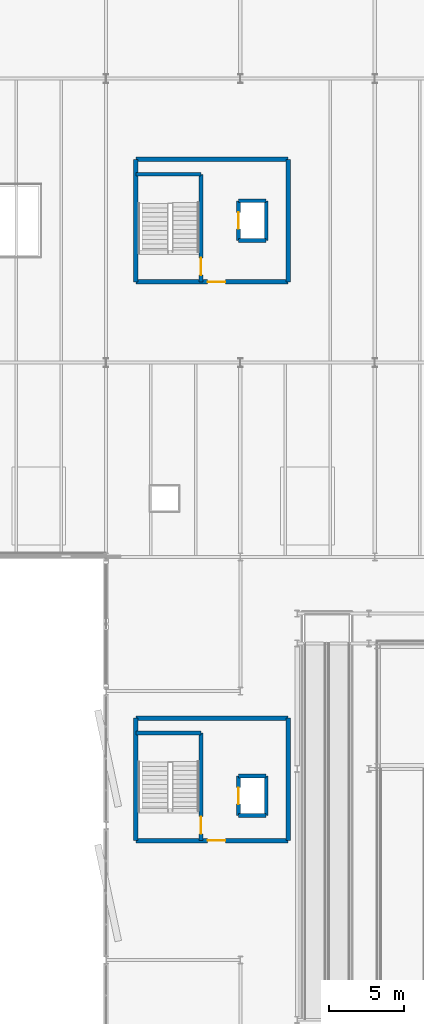
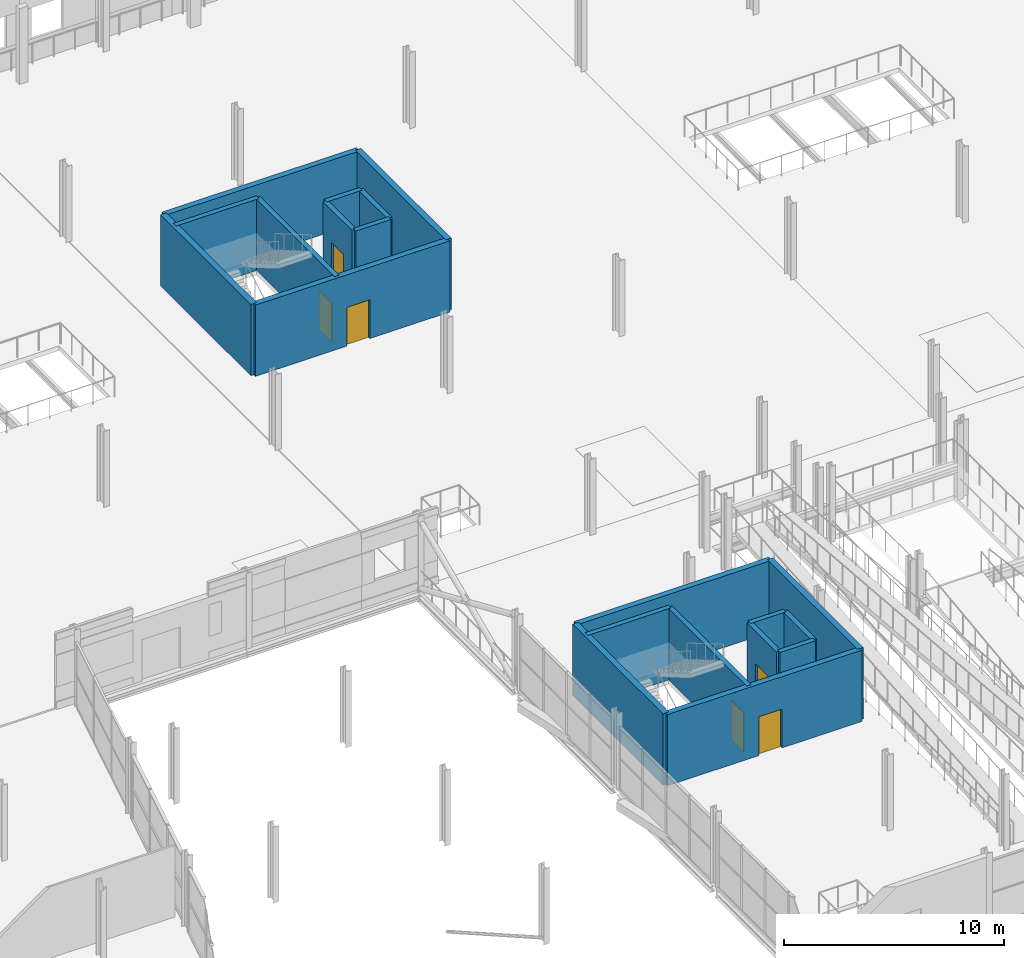
# One storey, part 122 of 140: 20 walls, 6 doors, 6 openings.
"""IFC4 building model written with IfcOpenShell, lengths in metres."""

from ifc_helpers import new_model, si_unit, direction, frame, frame_2d, origin, place, context, subcontext, project, spatial, rectangle, extrude, material, layer, layer_set, type_object, element, fill, save


model = new_model("IFC4")

# Units and contexts
model_context = context("Model", 3, precision=1e-05, world=origin(), true_north=direction((0.0, 1.0)))
body_context = subcontext(model_context, "Body", "Model", "MODEL_VIEW")
ifc_project = project(units=[si_unit("LENGTHUNIT", "METRE"), si_unit("AREAUNIT", "SQUARE_METRE"), si_unit("VOLUMEUNIT", "CUBIC_METRE"), si_unit("PLANEANGLEUNIT", "RADIAN"), si_unit("MASSUNIT", "GRAM", prefix="KILO")], contexts=[model_context])

# Site, building, storey
site_placement = place(None, origin())
site = spatial("IfcSite", under=ifc_project, at=site_placement, CompositionType="ELEMENT")
building_placement = place(site_placement, origin())
building = spatial("IfcBuilding", under=site, at=building_placement, Name="Deido Ridge Mobility Hub", CompositionType="ELEMENT")
storey_placement = place(building_placement, origin())
storey = spatial("IfcBuildingStorey", under=building, at=storey_placement, Name="L00", CompositionType="ELEMENT", Elevation=0.0)

# Wall, opening, door
ifc_material_1 = material(Name="Concrete C40/50", Category="concrete")
ifc_layer_1 = layer(ifc_material_1, 0.25, Name="Concrete C40/50")
ifc_layer_set_1 = layer_set([ifc_layer_1], Name="Concrete C40/50")
wall_type_1 = type_object("IfcWallType", Name="WL-SHR-RC-250", PredefinedType="SHEAR", material=ifc_layer_set_1)
wall_1_placement = place(storey_placement, frame((78.360107421875, 62.0, 0.0), z_axis=(0.0, 0.0, 1.0), x_axis=(0.0, 1.0, 0.0)))
wall_1 = element("IfcWall", 1, at=wall_1_placement, inside=storey, type_object=wall_type_1, Name="C4 stair shaft east wall", PredefinedType="SHEAR", context=body_context, shape_type="SweptSolid", body=[
    extrude(rectangle(XDim=7.199951171875, YDim=0.25, at=frame_2d((3.60009765625, 0.0))), origin(), (0.0, 0.0, 1.0), 3.949951171875),
])
opening_1_placement = place(wall_1_placement, frame((0.449951171875, 0.0, 0.0)))
opening_1 = element("IfcOpeningElement", 2, at=opening_1_placement, cuts=wall_1, Name="Opening FD-C4-L00", PredefinedType="OPENING", context=body_context, shape_type="SweptSolid", body=[
    extrude(rectangle(XDim=1.14990234375, YDim=2.14990234375, at=frame_2d((0.574951171875, 1.074951171875))), frame((0.0, 0.135009765625, 0.0), z_axis=(0.0, -1.0, 0.0), x_axis=(1.0, 0.0, 0.0)), (0.0, 0.0, 1.0), 0.27001953125),
])
ifc_material_2 = material(Name="Galvanised steel work", Category="steel")
door_type_1 = type_object("IfcDoorType", Name="DR-FD60-1150X2150", OperationType="NOTDEFINED", PredefinedType="DOOR", material=ifc_material_2)
door_1_placement = place(opening_1_placement, origin())
door_1 = element("IfcDoor", 3, at=door_1_placement, inside=storey, type_object=door_type_1, Name="DR-I0082 C4 protected stair door (L00)", OperationType="SINGLE_SWING_LEFT", OverallHeight=2.14990234375, OverallWidth=1.14990234375, PredefinedType="DOOR", context=body_context, shape_type="SweptSolid", body=[
    extrude(rectangle(XDim=1.14990234375, YDim=2.14990234375, at=frame_2d((0.574951171875, 1.074951171875))), frame((0.0, 0.02490234375, 0.0), z_axis=(0.0, -1.0, 0.0), x_axis=(1.0, 0.0, 0.0)), (0.0, 0.0, 1.0), 0.050048828125),
])
fill(opening_1, door_1)

# Walls
wall_2_placement = place(storey_placement, frame((74.0, 69.199951171875, 0.0), z_axis=(0.0, 0.0, 1.0), x_axis=(1.0, 0.0, 0.0)))
element("IfcWall", 4, at=wall_2_placement, inside=storey, type_object=wall_type_1, Name="C4 stair shaft north wall", PredefinedType="SHEAR", context=body_context, shape_type="SweptSolid", body=[
    extrude(rectangle(XDim=4.360107421875, YDim=0.25, at=frame_2d((2.18017578125, 0.0))), origin(), (0.0, 0.0, 1.0), 3.949951171875),
])
for number, where, z_axis, x_axis, name in (
    (5, (80.875, 63.675048828125, 0.0), (0.0, 0.0, 1.0), (1.0, 0.0, 0.0), "Lift PL2 south shaft wall"),
    (6, (80.875, 66.324951171875, 0.0), (0.0, 0.0, 1.0), (1.0, 0.0, 0.0), "Lift PL2 north shaft wall"),
):
    element("IfcWall", number, at=place(storey_placement, frame(where, z_axis=z_axis, x_axis=x_axis)), inside=storey, type_object=wall_type_1, Name=name, PredefinedType="SHEAR", context=body_context, shape_type="SweptSolid", body=[
        extrude(rectangle(XDim=1.85009765625, YDim=0.25, at=frame_2d((0.925048828125, 0.0))), origin(), (0.0, 0.0, 1.0), 3.949951171875),
    ])
wall_3_placement = place(storey_placement, frame((82.72509765625, 63.675048828125, 0.0), z_axis=(0.0, 0.0, 1.0), x_axis=(0.0, 1.0, 0.0)))
element("IfcWall", 7, at=wall_3_placement, inside=storey, type_object=wall_type_1, Name="Lift PL2 rear shaft wall", PredefinedType="SHEAR", context=body_context, shape_type="SweptSolid", body=[
    extrude(rectangle(XDim=2.64990234375, YDim=0.25, at=frame_2d((1.324951171875, 0.0))), origin(), (0.0, 0.0, 1.0), 3.949951171875),
])

# Wall, opening, door
wall_4_placement = place(storey_placement, frame((80.875, 63.675048828125, 0.0), z_axis=(0.0, 0.0, 1.0), x_axis=(0.0, 1.0, 0.0)))
wall_4 = element("IfcWall", 8, at=wall_4_placement, inside=storey, type_object=wall_type_1, Name="Lift PL2 landing wall", PredefinedType="SHEAR", context=body_context, shape_type="SweptSolid", body=[
    extrude(rectangle(XDim=2.64990234375, YDim=0.25, at=frame_2d((1.324951171875, 0.0))), origin(), (0.0, 0.0, 1.0), 3.949951171875),
])
opening_2_placement = place(wall_4_placement, frame((0.77490234375, 0.0, 0.0)))
opening_2 = element("IfcOpeningElement", 9, at=opening_2_placement, cuts=wall_4, Name="Opening LD-PL2", PredefinedType="OPENING", context=body_context, shape_type="SweptSolid", body=[
    extrude(rectangle(XDim=1.10009765625, YDim=2.14990234375, at=frame_2d((0.550048828125, 1.074951171875))), frame((0.0, 0.135009765625, 0.0), z_axis=(0.0, -1.0, 0.0), x_axis=(1.0, 0.0, 0.0)), (0.0, 0.0, 1.0), 0.27001953125),
])
ifc_material_3 = material(Name="Stainless steel 316", Category="steel")
door_type_2 = type_object("IfcDoorType", Name="DR-LND-PAS-1100X2150", OperationType="DOUBLE_DOOR_SLIDING", PredefinedType="USERDEFINED", material=ifc_material_3)
door_2_placement = place(opening_2_placement, origin())
door_2 = element("IfcDoor", 10, at=door_2_placement, inside=storey, type_object=door_type_2, Name="DR-I0084 Lift PL2 sliding landing door (L00)", ObjectType="LANDING DOOR", OperationType="DOUBLE_DOOR_SLIDING", OverallHeight=2.14990234375, OverallWidth=1.10009765625, PredefinedType="USERDEFINED", context=body_context, shape_type="SweptSolid", body=[
    extrude(rectangle(XDim=1.10009765625, YDim=2.14990234375, at=frame_2d((0.550048828125, 1.074951171875))), frame((0.0, 0.02490234375, 0.0), z_axis=(0.0, -1.0, 0.0), x_axis=(1.0, 0.0, 0.0)), (0.0, 0.0, 1.0), 0.050048828125),
])
fill(opening_2, door_2)

wall_5_placement = place(storey_placement, frame((78.360107421875, 99.39990234375, 0.0), z_axis=(0.0, 0.0, 1.0), x_axis=(0.0, 1.0, 0.0)))
wall_5 = element("IfcWall", 11, at=wall_5_placement, inside=storey, type_object=wall_type_1, Name="C5 stair shaft east wall", PredefinedType="SHEAR", context=body_context, shape_type="SweptSolid", body=[
    extrude(rectangle(XDim=7.2001953125, YDim=0.25, at=frame_2d((3.60009765625, 0.0))), origin(), (0.0, 0.0, 1.0), 3.949951171875),
])
opening_3_placement = place(wall_5_placement, frame((0.449951171875, 0.0, 0.0)))
opening_3 = element("IfcOpeningElement", 12, at=opening_3_placement, cuts=wall_5, Name="Opening FD-C5-L00", PredefinedType="OPENING", context=body_context, shape_type="SweptSolid", body=[
    extrude(rectangle(XDim=1.14990234375, YDim=2.14990234375, at=frame_2d((0.574951171875, 1.074951171875))), frame((0.0, 0.135009765625, 0.0), z_axis=(0.0, -1.0, 0.0), x_axis=(1.0, 0.0, 0.0)), (0.0, 0.0, 1.0), 0.27001953125),
])
door_3_placement = place(opening_3_placement, origin())
door_3 = element("IfcDoor", 13, at=door_3_placement, inside=storey, type_object=door_type_1, Name="DR-I0103 C5 protected stair door (L00)", OperationType="SINGLE_SWING_LEFT", OverallHeight=2.14990234375, OverallWidth=1.14990234375, PredefinedType="DOOR", context=body_context, shape_type="SweptSolid", body=[
    extrude(rectangle(XDim=1.14990234375, YDim=2.14990234375, at=frame_2d((0.574951171875, 1.074951171875))), frame((0.0, 0.02490234375, 0.0), z_axis=(0.0, -1.0, 0.0), x_axis=(1.0, 0.0, 0.0)), (0.0, 0.0, 1.0), 0.050048828125),
])
fill(opening_3, door_3)

# Walls
wall_6_placement = place(storey_placement, frame((74.0, 106.60009765625, 0.0), z_axis=(0.0, 0.0, 1.0), x_axis=(1.0, 0.0, 0.0)))
element("IfcWall", 14, at=wall_6_placement, inside=storey, type_object=wall_type_1, Name="C5 stair shaft north wall", PredefinedType="SHEAR", context=body_context, shape_type="SweptSolid", body=[
    extrude(rectangle(XDim=4.360107421875, YDim=0.25, at=frame_2d((2.18017578125, 0.0))), origin(), (0.0, 0.0, 1.0), 3.949951171875),
])
for number, where, z_axis, x_axis, name in (
    (15, (80.875, 102.175048828125, 0.0), (0.0, 0.0, 1.0), (1.0, 0.0, 0.0), "Lift PL3 south shaft wall"),
    (16, (80.875, 104.824951171875, 0.0), (0.0, 0.0, 1.0), (1.0, 0.0, 0.0), "Lift PL3 north shaft wall"),
):
    element("IfcWall", number, at=place(storey_placement, frame(where, z_axis=z_axis, x_axis=x_axis)), inside=storey, type_object=wall_type_1, Name=name, PredefinedType="SHEAR", context=body_context, shape_type="SweptSolid", body=[
        extrude(rectangle(XDim=1.85009765625, YDim=0.25, at=frame_2d((0.925048828125, 0.0))), origin(), (0.0, 0.0, 1.0), 3.949951171875),
    ])
wall_7_placement = place(storey_placement, frame((82.72509765625, 102.175048828125, 0.0), z_axis=(0.0, 0.0, 1.0), x_axis=(0.0, 1.0, 0.0)))
element("IfcWall", 17, at=wall_7_placement, inside=storey, type_object=wall_type_1, Name="Lift PL3 rear shaft wall", PredefinedType="SHEAR", context=body_context, shape_type="SweptSolid", body=[
    extrude(rectangle(XDim=2.64990234375, YDim=0.25, at=frame_2d((1.324951171875, 0.0))), origin(), (0.0, 0.0, 1.0), 3.949951171875),
])

# Wall, opening, door
wall_8_placement = place(storey_placement, frame((80.875, 102.175048828125, 0.0), z_axis=(0.0, 0.0, 1.0), x_axis=(0.0, 1.0, 0.0)))
wall_8 = element("IfcWall", 18, at=wall_8_placement, inside=storey, type_object=wall_type_1, Name="Lift PL3 landing wall", PredefinedType="SHEAR", context=body_context, shape_type="SweptSolid", body=[
    extrude(rectangle(XDim=2.64990234375, YDim=0.25, at=frame_2d((1.324951171875, 0.0))), origin(), (0.0, 0.0, 1.0), 3.949951171875),
])
opening_4_placement = place(wall_8_placement, frame((0.77490234375, 0.0, 0.0)))
opening_4 = element("IfcOpeningElement", 19, at=opening_4_placement, cuts=wall_8, Name="Opening LD-PL3", PredefinedType="OPENING", context=body_context, shape_type="SweptSolid", body=[
    extrude(rectangle(XDim=1.10009765625, YDim=2.14990234375, at=frame_2d((0.550048828125, 1.074951171875))), frame((0.0, 0.135009765625, 0.0), z_axis=(0.0, -1.0, 0.0), x_axis=(1.0, 0.0, 0.0)), (0.0, 0.0, 1.0), 0.27001953125),
])
door_4_placement = place(opening_4_placement, origin())
door_4 = element("IfcDoor", 20, at=door_4_placement, inside=storey, type_object=door_type_2, Name="DR-I0105 Lift PL3 sliding landing door (L00)", ObjectType="LANDING DOOR", OperationType="DOUBLE_DOOR_SLIDING", OverallHeight=2.14990234375, OverallWidth=1.10009765625, PredefinedType="USERDEFINED", context=body_context, shape_type="SweptSolid", body=[
    extrude(rectangle(XDim=1.10009765625, YDim=2.14990234375, at=frame_2d((0.550048828125, 1.074951171875))), frame((0.0, 0.02490234375, 0.0), z_axis=(0.0, -1.0, 0.0), x_axis=(1.0, 0.0, 0.0)), (0.0, 0.0, 1.0), 0.050048828125),
])
fill(opening_4, door_4)

ifc_layer_2 = layer(ifc_material_1, 0.300048828125, Name="Concrete C40/50")
ifc_layer_set_2 = layer_set([ifc_layer_2], Name="Concrete C40/50")
wall_type_2 = type_object("IfcWallType", Name="WL-SHR-RC-300", PredefinedType="SHEAR", material=ifc_layer_set_2)
wall_9_placement = place(storey_placement, frame((74.0, 62.0, 0.0), z_axis=(0.0, 0.0, 1.0), x_axis=(1.0, 0.0, 0.0)))
wall_9 = element("IfcWall", 21, at=wall_9_placement, inside=storey, type_object=wall_type_2, Name="C4 south shear wall", PredefinedType="SHEAR", context=body_context, shape_type="SweptSolid", body=[
    extrude(rectangle(XDim=10.199951171875, YDim=0.300048828125, at=frame_2d((5.10009765625, 0.0))), origin(), (0.0, 0.0, 1.0), 3.949951171875),
])
opening_5_placement = place(wall_9_placement, frame((4.800048828125, 0.0, 0.0)))
opening_5 = element("IfcOpeningElement", 22, at=opening_5_placement, cuts=wall_9, Name="Opening LD-C4-083", PredefinedType="OPENING", context=body_context, shape_type="SweptSolid", body=[
    extrude(rectangle(XDim=1.199951171875, YDim=2.14990234375, at=frame_2d((0.60009765625, 1.074951171875))), frame((0.0, 0.16015625, 0.0), z_axis=(0.0, -1.0, 0.0), x_axis=(1.0, 0.0, 0.0)), (0.0, 0.0, 1.0), 0.320068359375),
])
door_type_3 = type_object("IfcDoorType", Name="DR-FD60-1200X2150", OperationType="NOTDEFINED", PredefinedType="DOOR", material=ifc_material_2)
door_5_placement = place(opening_5_placement, origin())
door_5 = element("IfcDoor", 23, at=door_5_placement, inside=storey, type_object=door_type_3, Name="DR-I0083 C4 lift lobby door (L00)", OperationType="SINGLE_SWING_RIGHT", OverallHeight=2.14990234375, OverallWidth=1.199951171875, PredefinedType="DOOR", context=body_context, shape_type="SweptSolid", body=[
    extrude(rectangle(XDim=1.199951171875, YDim=2.14990234375, at=frame_2d((0.60009765625, 1.074951171875))), frame((0.0, 0.02490234375, 0.0), z_axis=(0.0, -1.0, 0.0), x_axis=(1.0, 0.0, 0.0)), (0.0, 0.0, 1.0), 0.050048828125),
])
fill(opening_5, door_5)

# Walls
wall_10_placement = place(storey_placement, frame((84.199951171875, 62.0, 0.0), z_axis=(0.0, 0.0, 1.0), x_axis=(0.0, 1.0, 0.0)))
element("IfcWall", 24, at=wall_10_placement, inside=storey, type_object=wall_type_2, Name="C4 east shear wall", PredefinedType="SHEAR", context=body_context, shape_type="SweptSolid", body=[
    extrude(rectangle(XDim=8.199951171875, YDim=0.300048828125, at=frame_2d((4.10009765625, 0.0))), origin(), (0.0, 0.0, 1.0), 3.949951171875),
])
wall_11_placement = place(storey_placement, frame((84.199951171875, 70.199951171875, 0.0), z_axis=(0.0, 0.0, 1.0), x_axis=(-1.0, 0.0, 0.0)))
element("IfcWall", 25, at=wall_11_placement, inside=storey, type_object=wall_type_2, Name="C4 north shear wall", PredefinedType="SHEAR", context=body_context, shape_type="SweptSolid", body=[
    extrude(rectangle(XDim=10.199951171875, YDim=0.300048828125, at=frame_2d((5.10009765625, 0.0))), origin(), (0.0, 0.0, 1.0), 3.949951171875),
])
wall_12_placement = place(storey_placement, frame((74.0, 70.199951171875, 0.0), z_axis=(0.0, 0.0, 1.0), x_axis=(0.0, -1.0, 0.0)))
element("IfcWall", 26, at=wall_12_placement, inside=storey, type_object=wall_type_2, Name="C4 west shear wall", PredefinedType="SHEAR", context=body_context, shape_type="SweptSolid", body=[
    extrude(rectangle(XDim=8.199951171875, YDim=0.300048828125, at=frame_2d((4.10009765625, 0.0))), origin(), (0.0, 0.0, 1.0), 3.949951171875),
])

# Wall, opening, door
wall_13_placement = place(storey_placement, frame((74.0, 99.39990234375, 0.0), z_axis=(0.0, 0.0, 1.0), x_axis=(1.0, 0.0, 0.0)))
wall_13 = element("IfcWall", 27, at=wall_13_placement, inside=storey, type_object=wall_type_2, Name="C5 south shear wall", PredefinedType="SHEAR", context=body_context, shape_type="SweptSolid", body=[
    extrude(rectangle(XDim=10.199951171875, YDim=0.300048828125, at=frame_2d((5.10009765625, 0.0))), origin(), (0.0, 0.0, 1.0), 3.949951171875),
])
opening_6_placement = place(wall_13_placement, frame((4.800048828125, 0.0, 0.0)))
opening_6 = element("IfcOpeningElement", 28, at=opening_6_placement, cuts=wall_13, Name="Opening LD-C5-104", PredefinedType="OPENING", context=body_context, shape_type="SweptSolid", body=[
    extrude(rectangle(XDim=1.199951171875, YDim=2.14990234375, at=frame_2d((0.60009765625, 1.074951171875))), frame((0.0, 0.16015625, 0.0), z_axis=(0.0, -1.0, 0.0), x_axis=(1.0, 0.0, 0.0)), (0.0, 0.0, 1.0), 0.320068359375),
])
door_6_placement = place(opening_6_placement, origin())
door_6 = element("IfcDoor", 29, at=door_6_placement, inside=storey, type_object=door_type_3, Name="DR-I0104 C5 lift lobby door (L00)", OperationType="SINGLE_SWING_RIGHT", OverallHeight=2.14990234375, OverallWidth=1.199951171875, PredefinedType="DOOR", context=body_context, shape_type="SweptSolid", body=[
    extrude(rectangle(XDim=1.199951171875, YDim=2.14990234375, at=frame_2d((0.60009765625, 1.074951171875))), frame((0.0, 0.02490234375, 0.0), z_axis=(0.0, -1.0, 0.0), x_axis=(1.0, 0.0, 0.0)), (0.0, 0.0, 1.0), 0.050048828125),
])
fill(opening_6, door_6)

# Walls
wall_14_placement = place(storey_placement, frame((84.199951171875, 99.39990234375, 0.0), z_axis=(0.0, 0.0, 1.0), x_axis=(0.0, 1.0, 0.0)))
element("IfcWall", 30, at=wall_14_placement, inside=storey, type_object=wall_type_2, Name="C5 east shear wall", PredefinedType="SHEAR", context=body_context, shape_type="SweptSolid", body=[
    extrude(rectangle(XDim=8.2001953125, YDim=0.300048828125, at=frame_2d((4.10009765625, 0.0))), origin(), (0.0, 0.0, 1.0), 3.949951171875),
])
wall_15_placement = place(storey_placement, frame((84.199951171875, 107.60009765625, 0.0), z_axis=(0.0, 0.0, 1.0), x_axis=(-1.0, 0.0, 0.0)))
element("IfcWall", 31, at=wall_15_placement, inside=storey, type_object=wall_type_2, Name="C5 north shear wall", PredefinedType="SHEAR", context=body_context, shape_type="SweptSolid", body=[
    extrude(rectangle(XDim=10.199951171875, YDim=0.300048828125, at=frame_2d((5.10009765625, 0.0))), origin(), (0.0, 0.0, 1.0), 3.949951171875),
])
wall_16_placement = place(storey_placement, frame((74.0, 107.60009765625, 0.0), z_axis=(0.0, 0.0, 1.0), x_axis=(0.0, -1.0, 0.0)))
element("IfcWall", 32, at=wall_16_placement, inside=storey, type_object=wall_type_2, Name="C5 west shear wall", PredefinedType="SHEAR", context=body_context, shape_type="SweptSolid", body=[
    extrude(rectangle(XDim=8.2001953125, YDim=0.300048828125, at=frame_2d((4.10009765625, 0.0))), origin(), (0.0, 0.0, 1.0), 3.949951171875),
])

save(model, "model.ifc")
